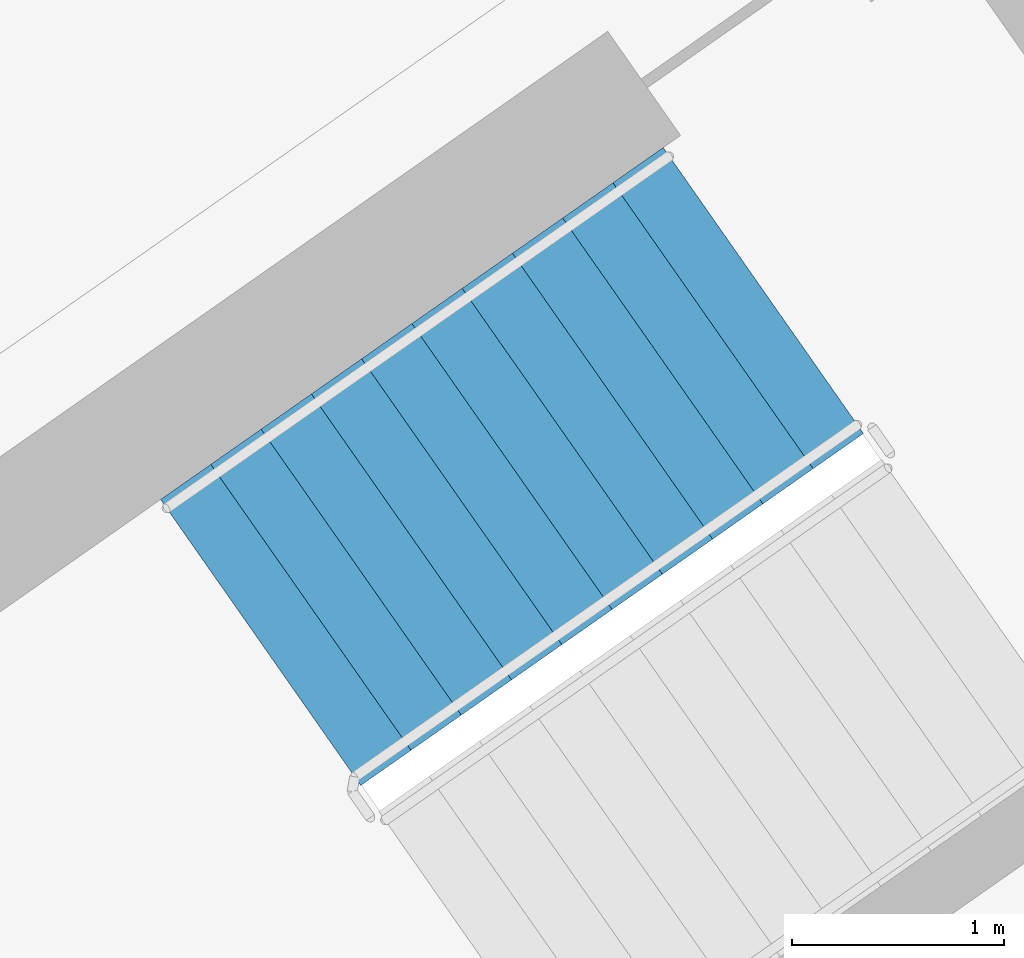
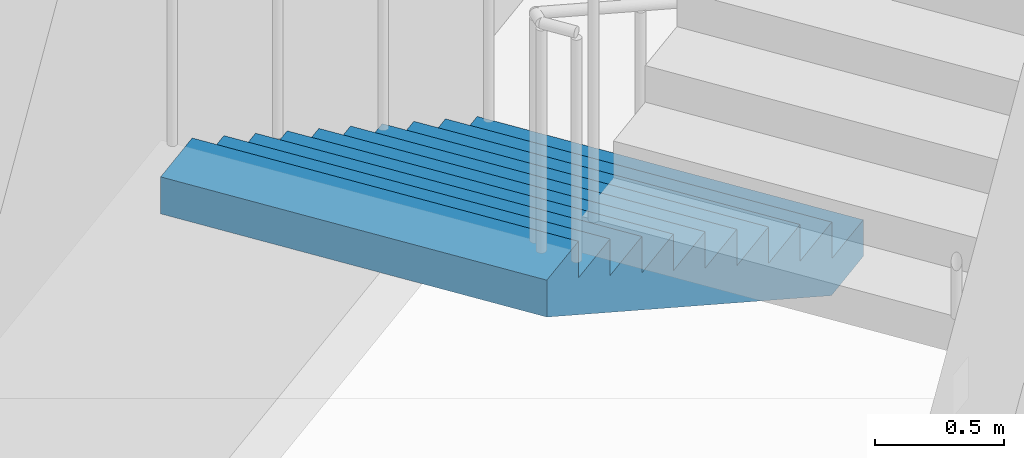
# One storey, part 15 of 29: 1 stair flight, 1 element without a shape of its own.
"""IFC4 building model written with IfcOpenShell, lengths in metres."""

from ifc_helpers import new_model, si_unit, direction, frame, origin, place, context, subcontext, project, spatial, faceted_brep, material, type_object, element, aggregate, save


model = new_model("IFC4")

# Units and contexts
model_context = context("Model", 3, precision=1e-05, world=origin(), true_north=direction((0.0, 1.0)))
body_context = subcontext(model_context, "Body", "Model", "MODEL_VIEW")
ifc_project = project(units=[si_unit("LENGTHUNIT", "METRE"), si_unit("AREAUNIT", "SQUARE_METRE"), si_unit("VOLUMEUNIT", "CUBIC_METRE"), si_unit("PLANEANGLEUNIT", "RADIAN"), si_unit("MASSUNIT", "GRAM", prefix="KILO")], contexts=[model_context])

# Site, building, storey
site_placement = place(None, origin())
site = spatial("IfcSite", under=ifc_project, at=site_placement, CompositionType="ELEMENT")
building_placement = place(site_placement, origin())
building = spatial("IfcBuilding", under=site, at=building_placement, Name="Qamariyya Broadcast Tower", CompositionType="ELEMENT")
storey_placement = place(building_placement, frame((0.0, 0.0, 258.10009765625)))
storey = spatial("IfcBuildingStorey", under=building, at=storey_placement, Name="L62", CompositionType="ELEMENT", Elevation=258.10009765625)

# Stair, stair flight
ifc_material = material(Name="Concrete C50/60", Category="concrete")
stair_type = type_object("IfcStairType", Name="Exit stair 22 risers of 173 mm", PredefinedType="HALF_TURN_STAIR", material=ifc_material)
stair_placement = place(storey_placement, origin())
stair = element("IfcStair", 1, at=stair_placement, inside=storey, type_object=stair_type, Name="L62 Stair E2", PredefinedType="HALF_TURN_STAIR")
stair_flight_type = type_object("IfcStairFlightType", Name="Exit stair flight 11 risers of 173 mm", PredefinedType="STRAIGHT", material=ifc_material)
stair_flight_placement = place(storey_placement, frame((40.558837890625, -47.685302734375, 0.0), z_axis=(0.0, 0.0, 1.0), x_axis=(-0.819152044289, -0.573576436351, 0.0)))
stair_flight = element("IfcStairFlight", 2, at=stair_flight_placement, type_object=stair_flight_type, Name="ST-E2 flight 1", NumberOfRisers=11, NumberOfTreads=10, PredefinedType="STRAIGHT", RiserHeight=0.172727273, TreadLength=0.29, context=body_context, shape_type="Brep", body=[
    faceted_brep([(0.0, 0.824951171875, 0.0), (0.0, 0.824951171875, 0.172607421875), (0.2900390625, 0.824951171875, 0.172607421875), (0.2900390625, 0.824951171875, 0.345458984375), (0.580078125, 0.824951171875, 0.345458984375), (0.580078125, 0.824951171875, 0.51806640625), (0.8701171875, 0.824951171875, 0.51806640625), (0.8701171875, 0.824951171875, 0.69091796875), (1.159912109375, 0.824951171875, 0.69091796875), (1.159912109375, 0.824951171875, 0.863525390625), (1.449951171875, 0.824951171875, 0.863525390625), (1.449951171875, 0.824951171875, 1.036376953125), (1.739990234375, 0.824951171875, 1.036376953125), (1.739990234375, 0.824951171875, 1.208984375), (2.030029296875, 0.824951171875, 1.208984375), (2.030029296875, 0.824951171875, 1.3818359375), (2.320068359375, 0.824951171875, 1.3818359375), (2.320068359375, 0.824951171875, 1.554443359375), (2.610107421875, 0.824951171875, 1.554443359375), (2.610107421875, 0.824951171875, 1.727294921875), (2.89990234375, 0.824951171875, 1.727294921875), (2.89990234375, 0.824951171875, 1.552734375), (0.29296875, 0.824951171875, 0.0), (0.29296875, -0.824951171875, 0.0), (2.89990234375, -0.824951171875, 1.552734375), (2.89990234375, -0.824951171875, 1.727294921875), (2.610107421875, -0.824951171875, 1.727294921875), (2.610107421875, -0.824951171875, 1.554443359375), (2.320068359375, -0.824951171875, 1.554443359375), (2.320068359375, -0.824951171875, 1.3818359375), (2.030029296875, -0.824951171875, 1.3818359375), (2.030029296875, -0.824951171875, 1.208984375), (1.739990234375, -0.824951171875, 1.208984375), (1.739990234375, -0.824951171875, 1.036376953125), (1.449951171875, -0.824951171875, 1.036376953125), (1.449951171875, -0.824951171875, 0.863525390625), (1.159912109375, -0.824951171875, 0.863525390625), (1.159912109375, -0.824951171875, 0.69091796875), (0.8701171875, -0.824951171875, 0.69091796875), (0.8701171875, -0.824951171875, 0.51806640625), (0.580078125, -0.824951171875, 0.51806640625), (0.580078125, -0.824951171875, 0.345458984375), (0.2900390625, -0.824951171875, 0.345458984375), (0.2900390625, -0.824951171875, 0.172607421875), (0.0, -0.824951171875, 0.172607421875), (0.0, -0.824951171875, 0.0), (0.0, 0.10009765625, 0.0), (0.0, 0.086669921875, 0.0), (0.0, 0.0732421875, 0.0), (0.0, 0.06005859375, 0.0), (0.0, 0.046630859375, 0.0), (0.0, 0.033447265625, 0.0), (0.0, 0.02001953125, 0.0), (0.0, 0.006591796875, 0.0), (0.0, -0.006591796875, 0.0), (0.0, -0.02001953125, 0.0), (0.0, -0.033447265625, 0.0), (0.0, -0.046630859375, 0.0), (0.0, -0.06005859375, 0.0), (0.0, -0.0732421875, 0.0), (0.0, -0.086669921875, 0.0), (0.0, -0.10009765625, 0.0), (0.0, -0.10009765625, 0.172607421875), (0.0, -0.086669921875, 0.172607421875), (0.0, -0.0732421875, 0.172607421875), (0.0, -0.06005859375, 0.172607421875), (0.0, -0.046630859375, 0.172607421875), (0.0, -0.033447265625, 0.172607421875), (0.0, -0.02001953125, 0.172607421875), (0.0, -0.006591796875, 0.172607421875), (0.0, 0.006591796875, 0.172607421875), (0.0, 0.02001953125, 0.172607421875), (0.0, 0.033447265625, 0.172607421875), (0.0, 0.046630859375, 0.172607421875), (0.0, 0.06005859375, 0.172607421875), (0.0, 0.0732421875, 0.172607421875), (0.0, 0.086669921875, 0.172607421875), (0.0, 0.10009765625, 0.172607421875), (0.2900390625, -0.10009765625, 0.172607421875), (0.2900390625, -0.086669921875, 0.172607421875), (0.2900390625, -0.0732421875, 0.172607421875), (0.2900390625, -0.06005859375, 0.172607421875), (0.2900390625, -0.046630859375, 0.172607421875), (0.2900390625, -0.033447265625, 0.172607421875), (0.2900390625, -0.02001953125, 0.172607421875), (0.2900390625, -0.006591796875, 0.172607421875), (0.2900390625, 0.006591796875, 0.172607421875), (0.2900390625, 0.02001953125, 0.172607421875), (0.2900390625, 0.033447265625, 0.172607421875), (0.2900390625, 0.046630859375, 0.172607421875), (0.2900390625, 0.06005859375, 0.172607421875), (0.2900390625, 0.0732421875, 0.172607421875), (0.2900390625, 0.086669921875, 0.172607421875), (0.2900390625, 0.10009765625, 0.172607421875), (0.2900390625, -0.10009765625, 0.345458984375), (0.2900390625, -0.086669921875, 0.345458984375), (0.2900390625, -0.0732421875, 0.345458984375), (0.2900390625, -0.06005859375, 0.345458984375), (0.2900390625, -0.046630859375, 0.345458984375), (0.2900390625, -0.033447265625, 0.345458984375), (0.2900390625, -0.02001953125, 0.345458984375), (0.2900390625, -0.006591796875, 0.345458984375), (0.2900390625, 0.006591796875, 0.345458984375), (0.2900390625, 0.02001953125, 0.345458984375), (0.2900390625, 0.033447265625, 0.345458984375), (0.2900390625, 0.046630859375, 0.345458984375), (0.2900390625, 0.06005859375, 0.345458984375), (0.2900390625, 0.0732421875, 0.345458984375), (0.2900390625, 0.086669921875, 0.345458984375), (0.2900390625, 0.10009765625, 0.345458984375), (0.580078125, -0.10009765625, 0.345458984375), (0.580078125, -0.086669921875, 0.345458984375), (0.580078125, -0.0732421875, 0.345458984375), (0.580078125, -0.06005859375, 0.345458984375), (0.580078125, -0.046630859375, 0.345458984375), (0.580078125, -0.033447265625, 0.345458984375), (0.580078125, -0.02001953125, 0.345458984375), (0.580078125, -0.006591796875, 0.345458984375), (0.580078125, 0.006591796875, 0.345458984375), (0.580078125, 0.02001953125, 0.345458984375), (0.580078125, 0.033447265625, 0.345458984375), (0.580078125, 0.046630859375, 0.345458984375), (0.580078125, 0.06005859375, 0.345458984375), (0.580078125, 0.0732421875, 0.345458984375), (0.580078125, 0.086669921875, 0.345458984375), (0.580078125, 0.10009765625, 0.345458984375), (0.580078125, -0.10009765625, 0.51806640625), (0.580078125, -0.086669921875, 0.51806640625), (0.580078125, -0.0732421875, 0.51806640625), (0.580078125, -0.06005859375, 0.51806640625), (0.580078125, -0.046630859375, 0.51806640625), (0.580078125, -0.033447265625, 0.51806640625), (0.580078125, -0.02001953125, 0.51806640625), (0.580078125, -0.006591796875, 0.51806640625), (0.580078125, 0.006591796875, 0.51806640625), (0.580078125, 0.02001953125, 0.51806640625), (0.580078125, 0.033447265625, 0.51806640625), (0.580078125, 0.046630859375, 0.51806640625), (0.580078125, 0.06005859375, 0.51806640625), (0.580078125, 0.0732421875, 0.51806640625), (0.580078125, 0.086669921875, 0.51806640625), (0.580078125, 0.10009765625, 0.51806640625), (0.8701171875, -0.10009765625, 0.51806640625), (0.8701171875, -0.086669921875, 0.51806640625), (0.8701171875, -0.0732421875, 0.51806640625), (0.8701171875, -0.06005859375, 0.51806640625), (0.8701171875, -0.046630859375, 0.51806640625), (0.8701171875, -0.033447265625, 0.51806640625), (0.8701171875, -0.02001953125, 0.51806640625), (0.8701171875, -0.006591796875, 0.51806640625), (0.8701171875, 0.006591796875, 0.51806640625), (0.8701171875, 0.02001953125, 0.51806640625), (0.8701171875, 0.033447265625, 0.51806640625), (0.8701171875, 0.046630859375, 0.51806640625), (0.8701171875, 0.06005859375, 0.51806640625), (0.8701171875, 0.0732421875, 0.51806640625), (0.8701171875, 0.086669921875, 0.51806640625), (0.8701171875, 0.10009765625, 0.51806640625), (0.8701171875, -0.10009765625, 0.69091796875), (0.8701171875, -0.086669921875, 0.69091796875), (0.8701171875, -0.0732421875, 0.69091796875), (0.8701171875, -0.06005859375, 0.69091796875), (0.8701171875, -0.046630859375, 0.69091796875), (0.8701171875, -0.033447265625, 0.69091796875), (0.8701171875, -0.02001953125, 0.69091796875), (0.8701171875, -0.006591796875, 0.69091796875), (0.8701171875, 0.006591796875, 0.69091796875), (0.8701171875, 0.02001953125, 0.69091796875), (0.8701171875, 0.033447265625, 0.69091796875), (0.8701171875, 0.046630859375, 0.69091796875), (0.8701171875, 0.06005859375, 0.69091796875), (0.8701171875, 0.0732421875, 0.69091796875), (0.8701171875, 0.086669921875, 0.69091796875), (0.8701171875, 0.10009765625, 0.69091796875), (1.159912109375, -0.10009765625, 0.69091796875), (1.159912109375, -0.086669921875, 0.69091796875), (1.159912109375, -0.0732421875, 0.69091796875), (1.159912109375, -0.06005859375, 0.69091796875), (1.159912109375, -0.046630859375, 0.69091796875), (1.159912109375, -0.033447265625, 0.69091796875), (1.159912109375, -0.02001953125, 0.69091796875), (1.159912109375, -0.006591796875, 0.69091796875), (1.159912109375, 0.006591796875, 0.69091796875), (1.159912109375, 0.02001953125, 0.69091796875), (1.159912109375, 0.033447265625, 0.69091796875), (1.159912109375, 0.046630859375, 0.69091796875), (1.159912109375, 0.06005859375, 0.69091796875), (1.159912109375, 0.0732421875, 0.69091796875), (1.159912109375, 0.086669921875, 0.69091796875), (1.159912109375, 0.10009765625, 0.69091796875), (1.159912109375, -0.10009765625, 0.863525390625), (1.159912109375, -0.086669921875, 0.863525390625), (1.159912109375, -0.0732421875, 0.863525390625), (1.159912109375, -0.06005859375, 0.863525390625), (1.159912109375, -0.046630859375, 0.863525390625), (1.159912109375, -0.033447265625, 0.863525390625), (1.159912109375, -0.02001953125, 0.863525390625), (1.159912109375, -0.006591796875, 0.863525390625), (1.159912109375, 0.006591796875, 0.863525390625), (1.159912109375, 0.02001953125, 0.863525390625), (1.159912109375, 0.033447265625, 0.863525390625), (1.159912109375, 0.046630859375, 0.863525390625), (1.159912109375, 0.06005859375, 0.863525390625), (1.159912109375, 0.0732421875, 0.863525390625), (1.159912109375, 0.086669921875, 0.863525390625), (1.159912109375, 0.10009765625, 0.863525390625), (1.449951171875, -0.10009765625, 0.863525390625), (1.449951171875, -0.086669921875, 0.863525390625), (1.449951171875, -0.0732421875, 0.863525390625), (1.449951171875, -0.06005859375, 0.863525390625), (1.449951171875, -0.046630859375, 0.863525390625), (1.449951171875, -0.033447265625, 0.863525390625), (1.449951171875, -0.02001953125, 0.863525390625), (1.449951171875, -0.006591796875, 0.863525390625), (1.449951171875, 0.006591796875, 0.863525390625), (1.449951171875, 0.02001953125, 0.863525390625), (1.449951171875, 0.033447265625, 0.863525390625), (1.449951171875, 0.046630859375, 0.863525390625), (1.449951171875, 0.06005859375, 0.863525390625), (1.449951171875, 0.0732421875, 0.863525390625), (1.449951171875, 0.086669921875, 0.863525390625), (1.449951171875, 0.10009765625, 0.863525390625), (1.449951171875, -0.10009765625, 1.036376953125), (1.449951171875, -0.086669921875, 1.036376953125), (1.449951171875, -0.0732421875, 1.036376953125), (1.449951171875, -0.06005859375, 1.036376953125), (1.449951171875, -0.046630859375, 1.036376953125), (1.449951171875, -0.033447265625, 1.036376953125), (1.449951171875, -0.02001953125, 1.036376953125), (1.449951171875, -0.006591796875, 1.036376953125), (1.449951171875, 0.006591796875, 1.036376953125), (1.449951171875, 0.02001953125, 1.036376953125), (1.449951171875, 0.033447265625, 1.036376953125), (1.449951171875, 0.046630859375, 1.036376953125), (1.449951171875, 0.06005859375, 1.036376953125), (1.449951171875, 0.0732421875, 1.036376953125), (1.449951171875, 0.086669921875, 1.036376953125), (1.449951171875, 0.10009765625, 1.036376953125), (1.739990234375, -0.10009765625, 1.036376953125), (1.739990234375, -0.086669921875, 1.036376953125), (1.739990234375, -0.0732421875, 1.036376953125), (1.739990234375, -0.06005859375, 1.036376953125), (1.739990234375, -0.046630859375, 1.036376953125), (1.739990234375, -0.033447265625, 1.036376953125), (1.739990234375, -0.02001953125, 1.036376953125), (1.739990234375, -0.006591796875, 1.036376953125), (1.739990234375, 0.006591796875, 1.036376953125), (1.739990234375, 0.02001953125, 1.036376953125), (1.739990234375, 0.033447265625, 1.036376953125), (1.739990234375, 0.046630859375, 1.036376953125), (1.739990234375, 0.06005859375, 1.036376953125), (1.739990234375, 0.0732421875, 1.036376953125), (1.739990234375, 0.086669921875, 1.036376953125), (1.739990234375, 0.10009765625, 1.036376953125), (1.739990234375, -0.10009765625, 1.208984375), (1.739990234375, -0.086669921875, 1.208984375), (1.739990234375, -0.0732421875, 1.208984375), (1.739990234375, -0.06005859375, 1.208984375), (1.739990234375, -0.046630859375, 1.208984375), (1.739990234375, -0.033447265625, 1.208984375), (1.739990234375, -0.02001953125, 1.208984375), (1.739990234375, -0.006591796875, 1.208984375), (1.739990234375, 0.006591796875, 1.208984375), (1.739990234375, 0.02001953125, 1.208984375), (1.739990234375, 0.033447265625, 1.208984375), (1.739990234375, 0.046630859375, 1.208984375), (1.739990234375, 0.06005859375, 1.208984375), (1.739990234375, 0.0732421875, 1.208984375), (1.739990234375, 0.086669921875, 1.208984375), (1.739990234375, 0.10009765625, 1.208984375), (2.030029296875, -0.10009765625, 1.208984375), (2.030029296875, -0.086669921875, 1.208984375), (2.030029296875, -0.0732421875, 1.208984375), (2.030029296875, -0.06005859375, 1.208984375), (2.030029296875, -0.046630859375, 1.208984375), (2.030029296875, -0.033447265625, 1.208984375), (2.030029296875, -0.02001953125, 1.208984375), (2.030029296875, -0.006591796875, 1.208984375), (2.030029296875, 0.006591796875, 1.208984375), (2.030029296875, 0.02001953125, 1.208984375), (2.030029296875, 0.033447265625, 1.208984375), (2.030029296875, 0.046630859375, 1.208984375), (2.030029296875, 0.06005859375, 1.208984375), (2.030029296875, 0.0732421875, 1.208984375), (2.030029296875, 0.086669921875, 1.208984375), (2.030029296875, 0.10009765625, 1.208984375), (2.030029296875, -0.10009765625, 1.3818359375), (2.030029296875, -0.086669921875, 1.3818359375), (2.030029296875, -0.0732421875, 1.3818359375), (2.030029296875, -0.06005859375, 1.3818359375), (2.030029296875, -0.046630859375, 1.3818359375), (2.030029296875, -0.033447265625, 1.3818359375), (2.030029296875, -0.02001953125, 1.3818359375), (2.030029296875, -0.006591796875, 1.3818359375), (2.030029296875, 0.006591796875, 1.3818359375), (2.030029296875, 0.02001953125, 1.3818359375), (2.030029296875, 0.033447265625, 1.3818359375), (2.030029296875, 0.046630859375, 1.3818359375), (2.030029296875, 0.06005859375, 1.3818359375), (2.030029296875, 0.0732421875, 1.3818359375), (2.030029296875, 0.086669921875, 1.3818359375), (2.030029296875, 0.10009765625, 1.3818359375), (2.320068359375, -0.10009765625, 1.3818359375), (2.320068359375, -0.086669921875, 1.3818359375), (2.320068359375, -0.0732421875, 1.3818359375), (2.320068359375, -0.06005859375, 1.3818359375), (2.320068359375, -0.046630859375, 1.3818359375), (2.320068359375, -0.033447265625, 1.3818359375), (2.320068359375, -0.02001953125, 1.3818359375), (2.320068359375, -0.006591796875, 1.3818359375), (2.320068359375, 0.006591796875, 1.3818359375), (2.320068359375, 0.02001953125, 1.3818359375), (2.320068359375, 0.033447265625, 1.3818359375), (2.320068359375, 0.046630859375, 1.3818359375), (2.320068359375, 0.06005859375, 1.3818359375), (2.320068359375, 0.0732421875, 1.3818359375), (2.320068359375, 0.086669921875, 1.3818359375), (2.320068359375, 0.10009765625, 1.3818359375), (2.320068359375, -0.10009765625, 1.554443359375), (2.320068359375, -0.086669921875, 1.554443359375), (2.320068359375, -0.0732421875, 1.554443359375), (2.320068359375, -0.06005859375, 1.554443359375), (2.320068359375, -0.046630859375, 1.554443359375), (2.320068359375, -0.033447265625, 1.554443359375), (2.320068359375, -0.02001953125, 1.554443359375), (2.320068359375, -0.006591796875, 1.554443359375), (2.320068359375, 0.006591796875, 1.554443359375), (2.320068359375, 0.02001953125, 1.554443359375), (2.320068359375, 0.033447265625, 1.554443359375), (2.320068359375, 0.046630859375, 1.554443359375), (2.320068359375, 0.06005859375, 1.554443359375), (2.320068359375, 0.0732421875, 1.554443359375), (2.320068359375, 0.086669921875, 1.554443359375), (2.320068359375, 0.10009765625, 1.554443359375), (2.610107421875, -0.10009765625, 1.554443359375), (2.610107421875, -0.086669921875, 1.554443359375), (2.610107421875, -0.0732421875, 1.554443359375), (2.610107421875, -0.06005859375, 1.554443359375), (2.610107421875, -0.046630859375, 1.554443359375), (2.610107421875, -0.033447265625, 1.554443359375), (2.610107421875, -0.02001953125, 1.554443359375), (2.610107421875, -0.006591796875, 1.554443359375), (2.610107421875, 0.006591796875, 1.554443359375), (2.610107421875, 0.02001953125, 1.554443359375), (2.610107421875, 0.033447265625, 1.554443359375), (2.610107421875, 0.046630859375, 1.554443359375), (2.610107421875, 0.06005859375, 1.554443359375), (2.610107421875, 0.0732421875, 1.554443359375), (2.610107421875, 0.086669921875, 1.554443359375), (2.610107421875, 0.10009765625, 1.554443359375), (2.610107421875, -0.10009765625, 1.727294921875), (2.610107421875, -0.086669921875, 1.727294921875), (2.610107421875, -0.0732421875, 1.727294921875), (2.610107421875, -0.06005859375, 1.727294921875), (2.610107421875, -0.046630859375, 1.727294921875), (2.610107421875, -0.033447265625, 1.727294921875), (2.610107421875, -0.02001953125, 1.727294921875), (2.610107421875, -0.006591796875, 1.727294921875), (2.610107421875, 0.006591796875, 1.727294921875), (2.610107421875, 0.02001953125, 1.727294921875), (2.610107421875, 0.033447265625, 1.727294921875), (2.610107421875, 0.046630859375, 1.727294921875), (2.610107421875, 0.06005859375, 1.727294921875), (2.610107421875, 0.0732421875, 1.727294921875), (2.610107421875, 0.086669921875, 1.727294921875), (2.610107421875, 0.10009765625, 1.727294921875), (2.89990234375, -0.10009765625, 1.727294921875), (2.89990234375, -0.086669921875, 1.727294921875), (2.89990234375, -0.0732421875, 1.727294921875), (2.89990234375, -0.06005859375, 1.727294921875), (2.89990234375, -0.046630859375, 1.727294921875), (2.89990234375, -0.033447265625, 1.727294921875), (2.89990234375, -0.02001953125, 1.727294921875), (2.89990234375, -0.006591796875, 1.727294921875), (2.89990234375, 0.006591796875, 1.727294921875), (2.89990234375, 0.02001953125, 1.727294921875), (2.89990234375, 0.033447265625, 1.727294921875), (2.89990234375, 0.046630859375, 1.727294921875), (2.89990234375, 0.06005859375, 1.727294921875), (2.89990234375, 0.0732421875, 1.727294921875), (2.89990234375, 0.086669921875, 1.727294921875), (2.89990234375, 0.10009765625, 1.727294921875), (2.89990234375, -0.10009765625, 1.552734375), (2.89990234375, -0.086669921875, 1.552734375), (2.89990234375, -0.0732421875, 1.552734375), (2.89990234375, -0.06005859375, 1.552734375), (2.89990234375, -0.046630859375, 1.552734375), (2.89990234375, -0.033447265625, 1.552734375), (2.89990234375, -0.02001953125, 1.552734375), (2.89990234375, -0.006591796875, 1.552734375), (2.89990234375, 0.006591796875, 1.552734375), (2.89990234375, 0.02001953125, 1.552734375), (2.89990234375, 0.033447265625, 1.552734375), (2.89990234375, 0.046630859375, 1.552734375), (2.89990234375, 0.06005859375, 1.552734375), (2.89990234375, 0.0732421875, 1.552734375), (2.89990234375, 0.086669921875, 1.552734375), (2.89990234375, 0.10009765625, 1.552734375), (0.29296875, -0.10009765625, 0.0), (0.29296875, -0.086669921875, 0.0), (0.29296875, -0.0732421875, 0.0), (0.29296875, -0.06005859375, 0.0), (0.29296875, -0.046630859375, 0.0), (0.29296875, -0.033447265625, 0.0), (0.29296875, -0.02001953125, 0.0), (0.29296875, -0.006591796875, 0.0), (0.29296875, 0.006591796875, 0.0), (0.29296875, 0.02001953125, 0.0), (0.29296875, 0.033447265625, 0.0), (0.29296875, 0.046630859375, 0.0), (0.29296875, 0.06005859375, 0.0), (0.29296875, 0.0732421875, 0.0), (0.29296875, 0.086669921875, 0.0), (0.29296875, 0.10009765625, 0.0)], [[[0, 1, 2, 3, 4, 5, 6, 7, 8, 9, 10, 11, 12, 13, 14, 15, 16, 17, 18, 19, 20, 21, 22]], [[23, 24, 25, 26, 27, 28, 29, 30, 31, 32, 33, 34, 35, 36, 37, 38, 39, 40, 41, 42, 43, 44, 45]], [[0, 46, 47, 48, 49, 50, 51, 52, 53, 54, 55, 56, 57, 58, 59, 60, 61, 45, 44, 62, 63, 64, 65, 66, 67, 68, 69, 70, 71, 72, 73, 74, 75, 76, 77, 1]], [[1, 77, 76, 75, 74, 73, 72, 71, 70, 69, 68, 67, 66, 65, 64, 63, 62, 44, 43, 78, 79, 80, 81, 82, 83, 84, 85, 86, 87, 88, 89, 90, 91, 92, 93, 2]], [[2, 93, 92, 91, 90, 89, 88, 87, 86, 85, 84, 83, 82, 81, 80, 79, 78, 43, 42, 94, 95, 96, 97, 98, 99, 100, 101, 102, 103, 104, 105, 106, 107, 108, 109, 3]], [[3, 109, 108, 107, 106, 105, 104, 103, 102, 101, 100, 99, 98, 97, 96, 95, 94, 42, 41, 110, 111, 112, 113, 114, 115, 116, 117, 118, 119, 120, 121, 122, 123, 124, 125, 4]], [[4, 125, 124, 123, 122, 121, 120, 119, 118, 117, 116, 115, 114, 113, 112, 111, 110, 41, 40, 126, 127, 128, 129, 130, 131, 132, 133, 134, 135, 136, 137, 138, 139, 140, 141, 5]], [[5, 141, 140, 139, 138, 137, 136, 135, 134, 133, 132, 131, 130, 129, 128, 127, 126, 40, 39, 142, 143, 144, 145, 146, 147, 148, 149, 150, 151, 152, 153, 154, 155, 156, 157, 6]], [[6, 157, 156, 155, 154, 153, 152, 151, 150, 149, 148, 147, 146, 145, 144, 143, 142, 39, 38, 158, 159, 160, 161, 162, 163, 164, 165, 166, 167, 168, 169, 170, 171, 172, 173, 7]], [[7, 173, 172, 171, 170, 169, 168, 167, 166, 165, 164, 163, 162, 161, 160, 159, 158, 38, 37, 174, 175, 176, 177, 178, 179, 180, 181, 182, 183, 184, 185, 186, 187, 188, 189, 8]], [[8, 189, 188, 187, 186, 185, 184, 183, 182, 181, 180, 179, 178, 177, 176, 175, 174, 37, 36, 190, 191, 192, 193, 194, 195, 196, 197, 198, 199, 200, 201, 202, 203, 204, 205, 9]], [[9, 205, 204, 203, 202, 201, 200, 199, 198, 197, 196, 195, 194, 193, 192, 191, 190, 36, 35, 206, 207, 208, 209, 210, 211, 212, 213, 214, 215, 216, 217, 218, 219, 220, 221, 10]], [[10, 221, 220, 219, 218, 217, 216, 215, 214, 213, 212, 211, 210, 209, 208, 207, 206, 35, 34, 222, 223, 224, 225, 226, 227, 228, 229, 230, 231, 232, 233, 234, 235, 236, 237, 11]], [[11, 237, 236, 235, 234, 233, 232, 231, 230, 229, 228, 227, 226, 225, 224, 223, 222, 34, 33, 238, 239, 240, 241, 242, 243, 244, 245, 246, 247, 248, 249, 250, 251, 252, 253, 12]], [[12, 253, 252, 251, 250, 249, 248, 247, 246, 245, 244, 243, 242, 241, 240, 239, 238, 33, 32, 254, 255, 256, 257, 258, 259, 260, 261, 262, 263, 264, 265, 266, 267, 268, 269, 13]], [[13, 269, 268, 267, 266, 265, 264, 263, 262, 261, 260, 259, 258, 257, 256, 255, 254, 32, 31, 270, 271, 272, 273, 274, 275, 276, 277, 278, 279, 280, 281, 282, 283, 284, 285, 14]], [[14, 285, 284, 283, 282, 281, 280, 279, 278, 277, 276, 275, 274, 273, 272, 271, 270, 31, 30, 286, 287, 288, 289, 290, 291, 292, 293, 294, 295, 296, 297, 298, 299, 300, 301, 15]], [[15, 301, 300, 299, 298, 297, 296, 295, 294, 293, 292, 291, 290, 289, 288, 287, 286, 30, 29, 302, 303, 304, 305, 306, 307, 308, 309, 310, 311, 312, 313, 314, 315, 316, 317, 16]], [[16, 317, 316, 315, 314, 313, 312, 311, 310, 309, 308, 307, 306, 305, 304, 303, 302, 29, 28, 318, 319, 320, 321, 322, 323, 324, 325, 326, 327, 328, 329, 330, 331, 332, 333, 17]], [[17, 333, 332, 331, 330, 329, 328, 327, 326, 325, 324, 323, 322, 321, 320, 319, 318, 28, 27, 334, 335, 336, 337, 338, 339, 340, 341, 342, 343, 344, 345, 346, 347, 348, 349, 18]], [[18, 349, 348, 347, 346, 345, 344, 343, 342, 341, 340, 339, 338, 337, 336, 335, 334, 27, 26, 350, 351, 352, 353, 354, 355, 356, 357, 358, 359, 360, 361, 362, 363, 364, 365, 19]], [[19, 365, 364, 363, 362, 361, 360, 359, 358, 357, 356, 355, 354, 353, 352, 351, 350, 26, 25, 366, 367, 368, 369, 370, 371, 372, 373, 374, 375, 376, 377, 378, 379, 380, 381, 20]], [[20, 381, 380, 379, 378, 377, 376, 375, 374, 373, 372, 371, 370, 369, 368, 367, 366, 25, 24, 382, 383, 384, 385, 386, 387, 388, 389, 390, 391, 392, 393, 394, 395, 396, 397, 21]], [[21, 397, 396, 395, 394, 393, 392, 391, 390, 389, 388, 387, 386, 385, 384, 383, 382, 24, 23, 398, 399, 400, 401, 402, 403, 404, 405, 406, 407, 408, 409, 410, 411, 412, 413, 22]], [[22, 413, 412, 411, 410, 409, 408, 407, 406, 405, 404, 403, 402, 401, 400, 399, 398, 23, 45, 61, 60, 59, 58, 57, 56, 55, 54, 53, 52, 51, 50, 49, 48, 47, 46, 0]]]),
])
aggregate(stair, [stair_flight])

save(model, "model.ifc")
